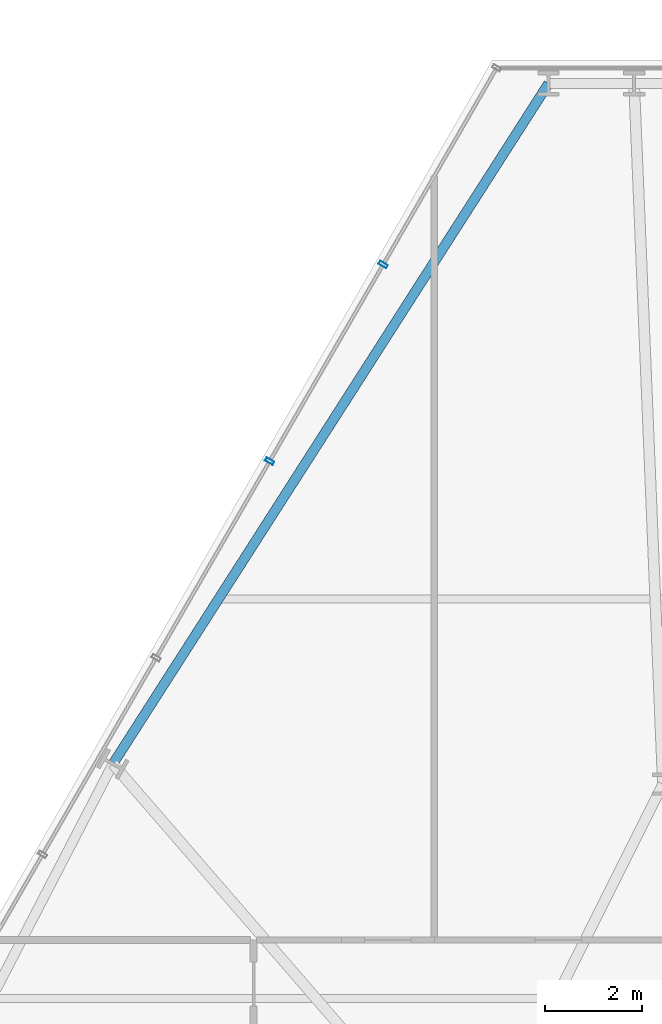
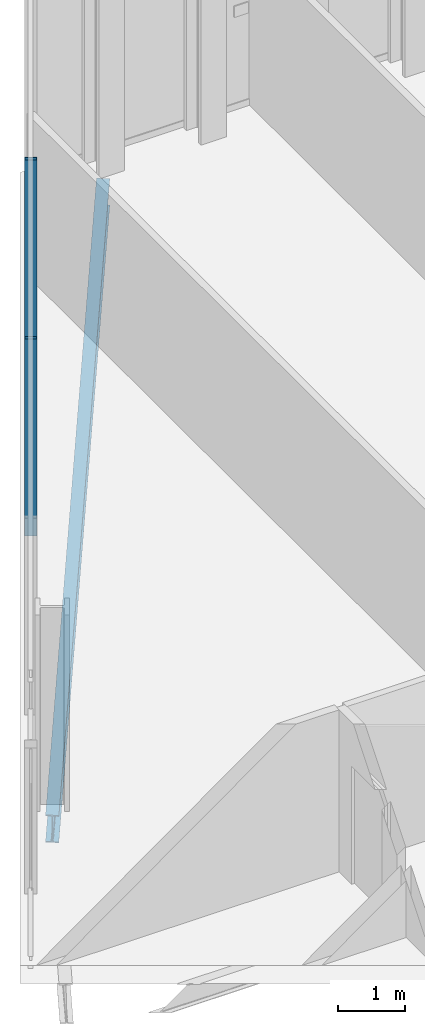
# One storey, part 22 of 33: 2 members, 1 beam, 1 element without a shape of its own.
"""IFC4 building model written with IfcOpenShell, lengths in metres."""

from ifc_helpers import new_model, si_unit, direction, frame, origin, origin_2d, place, context, subcontext, project, spatial, hollow_rectangle, i_section, extrude, material, layer, layer_set, material_profile, profile_set, type_object, element, aggregate, save


model = new_model("IFC4")

# Units and contexts
model_context = context("Model", 3, precision=1e-05, world=origin(), true_north=direction((0.0, 1.0)))
body_context = subcontext(model_context, "Body", "Model", "MODEL_VIEW")
ifc_project = project(units=[si_unit("LENGTHUNIT", "METRE"), si_unit("AREAUNIT", "SQUARE_METRE"), si_unit("VOLUMEUNIT", "CUBIC_METRE"), si_unit("PLANEANGLEUNIT", "RADIAN"), si_unit("MASSUNIT", "GRAM", prefix="KILO")], contexts=[model_context])

# Site, building, storey
site_placement = place(None, origin())
site = spatial("IfcSite", under=ifc_project, at=site_placement, CompositionType="ELEMENT")
building_placement = place(site_placement, origin())
building = spatial("IfcBuilding", under=site, at=building_placement, Name="Ndaravel Arena Tower", CompositionType="ELEMENT")
storey_placement = place(building_placement, frame((0.0, 0.0, 85.39990234375)))
storey = spatial("IfcBuildingStorey", under=building, at=storey_placement, Name="L19", CompositionType="ELEMENT", Elevation=85.39990234375)

# Beam
ifc_material_1 = material(Name="Steel S355", Category="steel")
ifc_material_profile_1 = material_profile(ifc_material_1, i_section(OverallWidth=0.199951171875, OverallDepth=0.5, WebThickness=0.01025390625, FlangeThickness=0.01611328125, FilletRadius=0.02099609375, at=origin_2d()), Name="IPE 500")
ifc_profile_set_1 = profile_set([ifc_material_profile_1], Name="Steel S355")
beam_type = type_object("IfcBeamType", Name="BM-SPAN-IPE500", PredefinedType="SPANDREL", material=ifc_profile_set_1)
beam_placement = place(storey_placement, frame((35.852783203125, 45.575927734375, -0.469970703125), z_axis=(-0.539178204501, -0.842191702519, 0.0), x_axis=(0.842191702519, -0.539178204501, 0.0)))
element("IfcBeam", 1, at=beam_placement, inside=storey, type_object=beam_type, Name="L19 Perimeter Spandrel Beam SP-18", PredefinedType="SPANDREL", context=body_context, shape_type="SweptSolid", body=[
    extrude(i_section(OverallWidth=0.199951171875, OverallDepth=0.5, WebThickness=0.01025390625, FlangeThickness=0.01611328125, FilletRadius=0.02099609375, at=origin_2d()), origin(), (0.0, 0.0, 1.0), 16.58056640625),
])

# Curtain wall, members
ifc_material_2 = material(Name="Aluminium", Category="aluminium")
ifc_layer = layer(ifc_material_2, 0.179931640625)
ifc_layer_set = layer_set([ifc_layer], Name="Aluminium")
curtain_wall_type = type_object("IfcCurtainWallType", Name="CW-SYS-03", PredefinedType="NOTDEFINED", material=ifc_layer_set)
curtain_wall_placement = place(storey_placement, origin())
curtain_wall = element("IfcCurtainWall", 2, at=curtain_wall_placement, inside=storey, type_object=curtain_wall_type, Name="L19 Faceted Crystal Curtain Wall CW-L19-E05", PredefinedType="NOTDEFINED")
ifc_material_3 = material(Name="Aluminium", Category="aluminium")
ifc_material_profile_2 = material_profile(ifc_material_3, hollow_rectangle(XDim=0.074951171875, YDim=0.179931640625, WallThickness=0.00390625, at=origin_2d()), Name="CW MULLION 75x180x4")
ifc_profile_set_2 = profile_set([ifc_material_profile_2], Name="Aluminium")
member_type = type_object("IfcMemberType", Name="MEM-CW-MUL180", PredefinedType="MULLION", material=ifc_profile_set_2)
member_1_placement = place(storey_placement, frame((32.460205078125, 41.860595703125, 0.0), z_axis=(0.0, 0.0, 1.0), x_axis=(-0.5, -0.866025403784, 0.0)))
member_1 = element("IfcMember", 3, at=member_1_placement, type_object=member_type, Name="CW-L19-E05 Mullion 01", PredefinedType="MULLION", context=body_context, shape_type="SweptSolid", body=[
    extrude(hollow_rectangle(XDim=0.074951171875, YDim=0.179931640625, WallThickness=0.00390625, at=origin_2d()), origin(), (0.0, 0.0, 1.0), 3.580078125),
])
member_2_placement = place(storey_placement, frame((30.13037109375, 37.824951171875, 0.0), z_axis=(0.0, 0.0, 1.0), x_axis=(-0.5, -0.866025403784, 0.0)))
member_2 = element("IfcMember", 4, at=member_2_placement, type_object=member_type, Name="CW-L19-E05 Mullion 02", PredefinedType="MULLION", context=body_context, shape_type="SweptSolid", body=[
    extrude(hollow_rectangle(XDim=0.074951171875, YDim=0.179931640625, WallThickness=0.00390625, at=origin_2d()), origin(), (0.0, 0.0, 1.0), 3.580078125),
])
aggregate(curtain_wall, [member_1, member_2])

save(model, "model.ifc")
